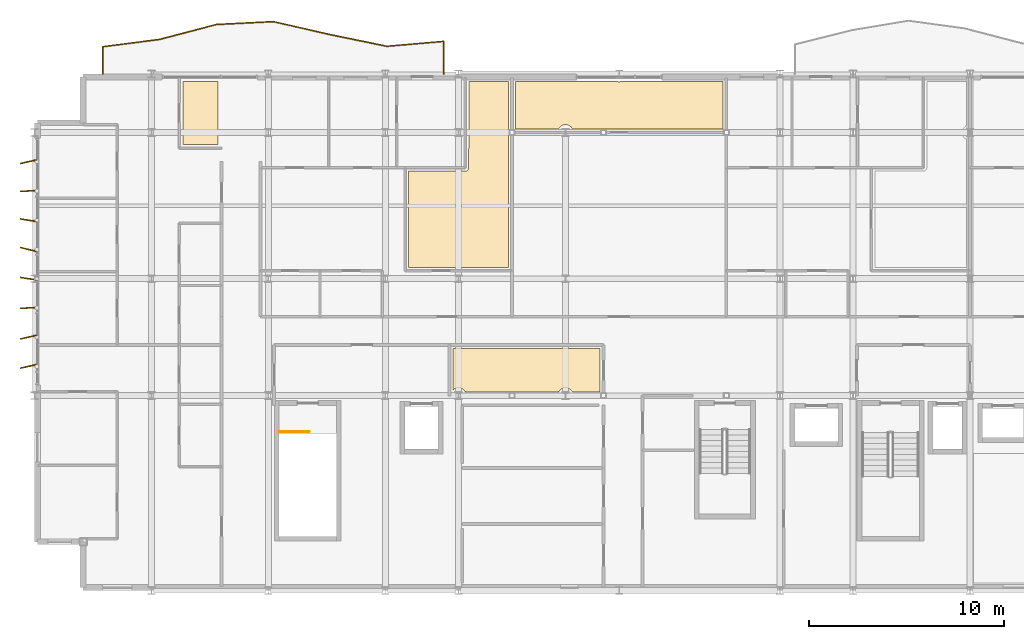
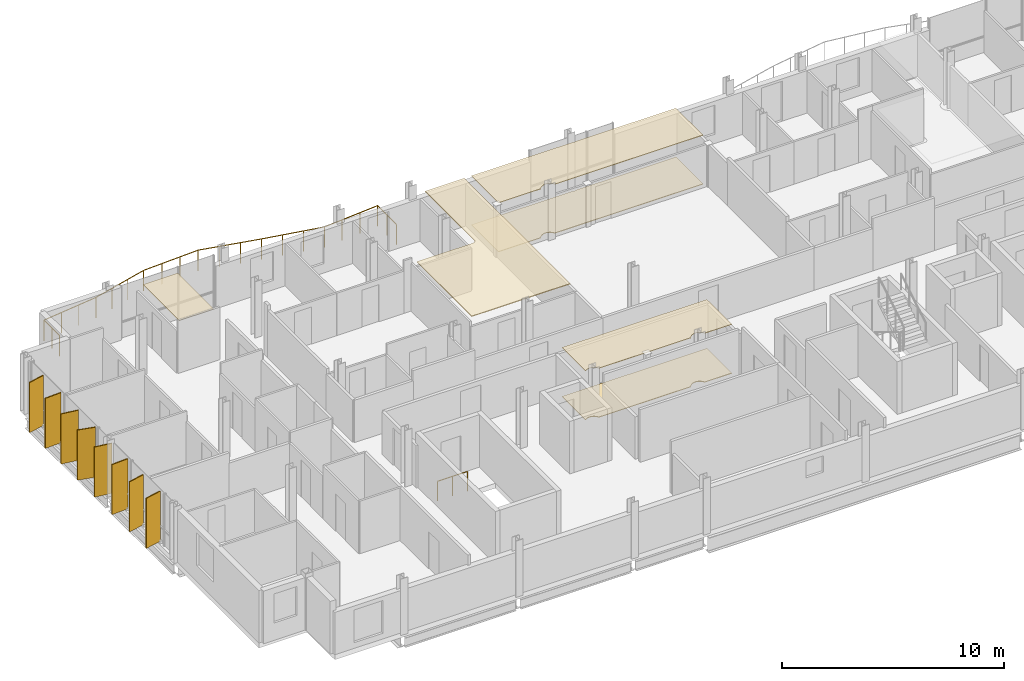
# One storey, part 33 of 35: 8 shading devices, 6 coverings, 2 railings.
"""IFC4 building model written with IfcOpenShell, lengths in metres."""

from ifc_helpers import new_model, si_unit, direction, frame, origin, origin_2d, place, context, subcontext, project, spatial, polyline, rectangle, circle, outline, extrude, material, layer, layer_set, type_object, element, save


model = new_model("IFC4")

# Units and contexts
model_context = context("Model", 3, precision=1e-05, world=origin(), true_north=direction((0.0, 1.0)))
body_context = subcontext(model_context, "Body", "Model", "MODEL_VIEW")
ifc_project = project(units=[si_unit("LENGTHUNIT", "METRE"), si_unit("AREAUNIT", "SQUARE_METRE"), si_unit("VOLUMEUNIT", "CUBIC_METRE"), si_unit("PLANEANGLEUNIT", "RADIAN"), si_unit("MASSUNIT", "GRAM", prefix="KILO")], contexts=[model_context])

# Site, building, storey
site_placement = place(None, origin())
site = spatial("IfcSite", under=ifc_project, at=site_placement, CompositionType="ELEMENT")
building_placement = place(site_placement, origin())
building = spatial("IfcBuilding", under=site, at=building_placement, Name="Brevholm Reach", CompositionType="ELEMENT")
storey_placement = place(building_placement, frame((0.0, 0.0, 218.0)))
storey = spatial("IfcBuildingStorey", under=building, at=storey_placement, Name="L66", CompositionType="ELEMENT", Elevation=218.0)

# Coverings
ifc_material_1 = material(Name="Perforated Mineral-Fibre Class-A Acoustic Suspended Ceiling", Category="gypsum")
ifc_layer_1 = layer(ifc_material_1, 0.044921875)
ifc_layer_set_1 = layer_set([ifc_layer_1], Name="Perforated Mineral-Fibre Class-A Acoustic Suspended Ceiling")
covering_type_1 = type_object("IfcCoveringType", Name="COV-CLG-AC", PredefinedType="CEILING", material=ifc_layer_set_1)
covering_1_placement = place(storey_placement, frame((0.0, 0.0, 2.675048828125)))
element("IfcCovering", 1, at=covering_1_placement, inside=storey, type_object=covering_type_1, Name="L66 Suspended Ceiling L66-44", PredefinedType="CEILING", context=body_context, shape_type="SweptSolid", body=[
    extrude(outline(polyline([(19.195068359375, 21.51611328125), (22.1025390625, 21.516845703125), (22.1201171875, 21.517822265625), (22.1376953125, 21.5205078125), (22.15478515625, 21.524658203125), (22.17138671875, 21.530517578125), (22.1875, 21.5380859375), (22.202392578125, 21.547119140625), (22.216796875, 21.557861328125), (22.229736328125, 21.569580078125), (22.24169921875, 21.582763671875), (22.252197265625, 21.596923828125), (22.26123046875, 21.612060546875), (22.268798828125, 21.6279296875), (22.274658203125, 21.64453125), (22.279052734375, 21.66162109375), (22.281494140625, 21.67919921875), (22.282470703125, 21.69677734375), (22.283935546875, 26.1201171875), (24.320068359375, 26.1201171875), (24.320068359375, 16.580078125), (19.195068359375, 16.580078125), (19.195068359375, 21.51611328125)])), origin(), (0.0, 0.0, 1.0), 0.044921875),
])
ifc_material_2 = material(Name="Moisture-Resistant Skimmed Gypsum Plasterboard Ceiling", Category="gypsum")
ifc_layer_2 = layer(ifc_material_2, 0.030029296875)
ifc_layer_set_2 = layer_set([ifc_layer_2], Name="Moisture-Resistant Skimmed Gypsum Plasterboard Ceiling")
covering_type_2 = type_object("IfcCoveringType", Name="COV-CLG-GYP", PredefinedType="CEILING", material=ifc_layer_set_2)
covering_2_placement = place(storey_placement, frame((0.0, 0.0, 2.68994140625)))
element("IfcCovering", 2, at=covering_2_placement, inside=storey, type_object=covering_type_2, Name="L66 Suspended Ceiling L66-32", PredefinedType="CEILING", context=body_context, shape_type="SweptSolid", body=[
    extrude(outline(polyline([(7.617919921875, 26.1201171875), (9.419921875, 26.1201171875), (9.419921875, 22.8798828125), (7.617919921875, 22.8798828125), (7.617919921875, 26.1201171875)])), origin(), (0.0, 0.0, 1.0), 0.030029296875),
])
covering_3_placement = place(storey_placement, frame((0.0, 0.0, 2.68994140625)))
element("IfcCovering", 3, at=covering_3_placement, inside=storey, type_object=covering_type_2, Name="L66 Suspended Ceiling L66-37", PredefinedType="CEILING", context=body_context, shape_type="SweptSolid", body=[
    extrude(outline(polyline([(27.606689453125, 10.179931640625), (27.602783203125, 10.188720703125), (27.58251953125, 10.22216796875), (27.55908203125, 10.25390625), (27.53271484375, 10.28271484375), (27.50390625, 10.30908203125), (27.47216796875, 10.33251953125), (27.438720703125, 10.352783203125), (27.403076171875, 10.36962890625), (27.3662109375, 10.3828125), (27.327880859375, 10.392333984375), (27.289306640625, 10.398193359375), (27.25, 10.39990234375), (27.210693359375, 10.398193359375), (27.172119140625, 10.392333984375), (27.1337890625, 10.3828125), (27.096923828125, 10.36962890625), (27.061279296875, 10.352783203125), (27.02783203125, 10.33251953125), (26.99609375, 10.30908203125), (26.96728515625, 10.28271484375), (26.94091796875, 10.25390625), (26.91748046875, 10.22216796875), (26.897216796875, 10.188720703125), (26.893310546875, 10.179931640625), (22.106689453125, 10.179931640625), (22.102783203125, 10.188720703125), (22.08251953125, 10.22216796875), (22.05908203125, 10.25390625), (22.03271484375, 10.28271484375), (22.00390625, 10.30908203125), (21.97216796875, 10.33251953125), (21.938720703125, 10.352783203125), (21.903076171875, 10.36962890625), (21.8662109375, 10.3828125), (21.827880859375, 10.392333984375), (21.789306640625, 10.398193359375), (21.75, 10.39990234375), (21.710693359375, 10.398193359375), (21.672119140625, 10.392333984375), (21.6337890625, 10.3828125), (21.596923828125, 10.36962890625), (21.561279296875, 10.352783203125), (21.52783203125, 10.33251953125), (21.49609375, 10.30908203125), (21.48388671875, 10.298095703125), (21.48388671875, 12.416015625), (29.01611328125, 12.416015625), (29.01611328125, 10.179931640625), (27.606689453125, 10.179931640625)])), origin(), (0.0, 0.0, 1.0), 0.030029296875),
])
covering_4_placement = place(storey_placement, frame((0.0, 0.0, 2.68994140625)))
element("IfcCovering", 4, at=covering_4_placement, inside=storey, type_object=covering_type_2, Name="L66 Suspended Ceiling L66-47", PredefinedType="CEILING", context=body_context, shape_type="SweptSolid", body=[
    extrude(outline(polyline([(29.876220703125, 26.1201171875), (29.8837890625, 26.1171875), (29.922119140625, 26.107666015625), (29.960693359375, 26.101806640625), (30.0, 26.10009765625), (30.039306640625, 26.101806640625), (30.077880859375, 26.107666015625), (30.1162109375, 26.1171875), (30.123779296875, 26.1201171875), (35.320068359375, 26.1201171875), (35.320068359375, 23.68408203125), (27.60498046875, 23.68408203125), (27.602783203125, 23.688720703125), (27.58251953125, 23.72216796875), (27.55908203125, 23.75390625), (27.53271484375, 23.78271484375), (27.50390625, 23.80908203125), (27.47216796875, 23.83251953125), (27.438720703125, 23.852783203125), (27.403076171875, 23.86962890625), (27.3662109375, 23.8828125), (27.327880859375, 23.892333984375), (27.289306640625, 23.898193359375), (27.25, 23.89990234375), (27.210693359375, 23.898193359375), (27.172119140625, 23.892333984375), (27.1337890625, 23.8828125), (27.096923828125, 23.86962890625), (27.061279296875, 23.852783203125), (27.02783203125, 23.83251953125), (26.99609375, 23.80908203125), (26.96728515625, 23.78271484375), (26.94091796875, 23.75390625), (26.91748046875, 23.72216796875), (26.897216796875, 23.688720703125), (26.89501953125, 23.68408203125), (24.68408203125, 23.68408203125), (24.68408203125, 26.1201171875), (29.876220703125, 26.1201171875)])), origin(), (0.0, 0.0, 1.0), 0.030029296875),
])
ifc_material_3 = material(Name="Honed Portland-Aggregate Resin Terrazzo Flooring", Category="concrete")
ifc_layer_3 = layer(ifc_material_3, 0.031982421875)
ifc_layer_set_3 = layer_set([ifc_layer_3], Name="Honed Portland-Aggregate Resin Terrazzo Flooring")
covering_type_3 = type_object("IfcCoveringType", Name="COV-FLR-TRZ", PredefinedType="FLOORING", material=ifc_layer_set_3)
covering_5_placement = place(storey_placement, origin())
element("IfcCovering", 5, at=covering_5_placement, inside=storey, type_object=covering_type_3, Name="L66 Floor Finish L66-37", PredefinedType="FLOORING", context=body_context, shape_type="SweptSolid", body=[
    extrude(outline(polyline([(27.606689453125, 10.179931640625), (27.602783203125, 10.188720703125), (27.58251953125, 10.22216796875), (27.55908203125, 10.25390625), (27.53271484375, 10.28271484375), (27.50390625, 10.30908203125), (27.47216796875, 10.33251953125), (27.438720703125, 10.352783203125), (27.403076171875, 10.36962890625), (27.3662109375, 10.3828125), (27.327880859375, 10.392333984375), (27.289306640625, 10.398193359375), (27.25, 10.39990234375), (27.210693359375, 10.398193359375), (27.172119140625, 10.392333984375), (27.1337890625, 10.3828125), (27.096923828125, 10.36962890625), (27.061279296875, 10.352783203125), (27.02783203125, 10.33251953125), (26.99609375, 10.30908203125), (26.96728515625, 10.28271484375), (26.94091796875, 10.25390625), (26.91748046875, 10.22216796875), (26.897216796875, 10.188720703125), (26.893310546875, 10.179931640625), (22.106689453125, 10.179931640625), (22.102783203125, 10.188720703125), (22.08251953125, 10.22216796875), (22.05908203125, 10.25390625), (22.03271484375, 10.28271484375), (22.00390625, 10.30908203125), (21.97216796875, 10.33251953125), (21.938720703125, 10.352783203125), (21.903076171875, 10.36962890625), (21.8662109375, 10.3828125), (21.827880859375, 10.392333984375), (21.789306640625, 10.398193359375), (21.75, 10.39990234375), (21.710693359375, 10.398193359375), (21.672119140625, 10.392333984375), (21.6337890625, 10.3828125), (21.596923828125, 10.36962890625), (21.561279296875, 10.352783203125), (21.52783203125, 10.33251953125), (21.49609375, 10.30908203125), (21.48388671875, 10.298095703125), (21.48388671875, 12.416015625), (29.01611328125, 12.416015625), (29.01611328125, 10.179931640625), (27.606689453125, 10.179931640625)])), origin(), (0.0, 0.0, 1.0), 0.031982421875),
])
covering_6_placement = place(storey_placement, origin())
element("IfcCovering", 6, at=covering_6_placement, inside=storey, type_object=covering_type_3, Name="L66 Floor Finish L66-47", PredefinedType="FLOORING", context=body_context, shape_type="SweptSolid", body=[
    extrude(outline(polyline([(29.876220703125, 26.1201171875), (29.8837890625, 26.1171875), (29.922119140625, 26.107666015625), (29.960693359375, 26.101806640625), (30.0, 26.10009765625), (30.039306640625, 26.101806640625), (30.077880859375, 26.107666015625), (30.1162109375, 26.1171875), (30.123779296875, 26.1201171875), (35.320068359375, 26.1201171875), (35.320068359375, 23.68408203125), (27.60498046875, 23.68408203125), (27.602783203125, 23.688720703125), (27.58251953125, 23.72216796875), (27.55908203125, 23.75390625), (27.53271484375, 23.78271484375), (27.50390625, 23.80908203125), (27.47216796875, 23.83251953125), (27.438720703125, 23.852783203125), (27.403076171875, 23.86962890625), (27.3662109375, 23.8828125), (27.327880859375, 23.892333984375), (27.289306640625, 23.898193359375), (27.25, 23.89990234375), (27.210693359375, 23.898193359375), (27.172119140625, 23.892333984375), (27.1337890625, 23.8828125), (27.096923828125, 23.86962890625), (27.061279296875, 23.852783203125), (27.02783203125, 23.83251953125), (26.99609375, 23.80908203125), (26.96728515625, 23.78271484375), (26.94091796875, 23.75390625), (26.91748046875, 23.72216796875), (26.897216796875, 23.688720703125), (26.89501953125, 23.68408203125), (24.68408203125, 23.68408203125), (24.68408203125, 26.1201171875), (29.876220703125, 26.1201171875)])), origin(), (0.0, 0.0, 1.0), 0.031982421875),
])

# Railings
ifc_material_4 = material(Name="Brushed Stainless Steel EN 1.4401 and Laminated Glass", Category="steel")
railing_type_1 = type_object("IfcRailingType", Name="RAL-BALC-1150", PredefinedType="BALUSTRADE", material=ifc_material_4)
railing_1_placement = place(storey_placement, frame((21.0, 26.5, 0.0)))
element("IfcRailing", 7, at=railing_1_placement, inside=storey, type_object=railing_type_1, Name="L66 Guard Balustrade RAL-L66-BAL-NW", PredefinedType="BALUSTRADE", context=body_context, shape_type="SweptSolid", body=[
    extrude(circle(Radius=0.02392578125, at=origin_2d()), frame((0.0, 0.0, 1.1259765625), z_axis=(0.0, 1.0, 0.0), x_axis=(-1.0, 0.0, 0.0)), (0.0, 0.0, 1.0), 1.67822265625),
    extrude(circle(Radius=0.02392578125, at=origin_2d()), frame((0.0, 1.67822265625, 1.1259765625), z_axis=(-0.996282713287, -0.086143805376, 0.0), x_axis=(0.086143805376, -0.996282713287, 0.0)), (0.0, 0.0, 1.0), 2.927734375),
    extrude(circle(Radius=0.02392578125, at=origin_2d()), frame((-2.916748046875, 1.426025390625, 1.1259765625), z_axis=(-0.979367411888, 0.202087784221, 0.0), x_axis=(-0.202087784221, -0.979367411888, 0.0)), (0.0, 0.0, 1.0), 2.97802734375),
    extrude(circle(Radius=0.02392578125, at=origin_2d()), frame((-5.833251953125, 2.02783203125, 1.1259765625), z_axis=(-0.975066268344, 0.221913884961, 0.0), x_axis=(-0.221913884961, -0.975066268344, 0.0)), (0.0, 0.0, 1.0), 2.991455078125),
    extrude(circle(Radius=0.02392578125, at=origin_2d()), frame((-8.75, 2.691650390625, 1.1259765625), z_axis=(-0.998720239463, -0.050575520622, 0.0), x_axis=(0.050575520622, -0.998720239463, 0.0)), (0.0, 0.0, 1.0), 2.92041015625),
    extrude(circle(Radius=0.02392578125, at=origin_2d()), frame((-11.666748046875, 2.5439453125, 1.1259765625), z_axis=(-0.967287116441, -0.253684123205, 0.0), x_axis=(0.253684123205, -0.967287116441, 0.0)), (0.0, 0.0, 1.0), 3.01513671875),
    extrude(circle(Radius=0.02392578125, at=origin_2d()), frame((-14.583251953125, 1.779052734375, 1.1259765625), z_axis=(-0.991825721968, -0.127599910828, 0.0), x_axis=(0.127599910828, -0.991825721968, 0.0)), (0.0, 0.0, 1.0), 2.940673828125),
    extrude(circle(Radius=0.02392578125, at=origin_2d()), frame((-17.5, 1.40380859375, 1.1259765625), z_axis=(0.0, -1.0, 0.0), x_axis=(1.0, 0.0, 0.0)), (0.0, 0.0, 1.0), 1.40380859375),
    extrude(circle(Radius=0.02099609375, at=origin_2d()), origin(), (0.0, 0.0, 1.0), 1.101806640625),
    extrude(circle(Radius=0.02099609375, at=origin_2d()), frame((0.0, 0.839111328125, 0.0)), (0.0, 0.0, 1.0), 1.101806640625),
    extrude(circle(Radius=0.02099609375, at=origin_2d()), frame((0.0, 1.67822265625, 0.0)), (0.0, 0.0, 1.0), 1.101806640625),
    extrude(circle(Radius=0.02099609375, at=origin_2d()), frame((-0.97216796875, 1.59423828125, 0.0)), (0.0, 0.0, 1.0), 1.101806640625),
    extrude(circle(Radius=0.02099609375, at=origin_2d()), frame((-1.944580078125, 1.510009765625, 0.0)), (0.0, 0.0, 1.0), 1.101806640625),
    extrude(circle(Radius=0.02099609375, at=origin_2d()), frame((-2.916748046875, 1.426025390625, 0.0)), (0.0, 0.0, 1.0), 1.101806640625),
    extrude(circle(Radius=0.02099609375, at=origin_2d()), frame((-3.888916015625, 1.626708984375, 0.0)), (0.0, 0.0, 1.0), 1.101806640625),
    extrude(circle(Radius=0.02099609375, at=origin_2d()), frame((-4.861083984375, 1.8271484375, 0.0)), (0.0, 0.0, 1.0), 1.101806640625),
    extrude(circle(Radius=0.02099609375, at=origin_2d()), frame((-5.833251953125, 2.02783203125, 0.0)), (0.0, 0.0, 1.0), 1.101806640625),
    extrude(circle(Radius=0.02099609375, at=origin_2d()), frame((-6.805419921875, 2.2490234375, 0.0)), (0.0, 0.0, 1.0), 1.101806640625),
    extrude(circle(Radius=0.02099609375, at=origin_2d()), frame((-7.77783203125, 2.470458984375, 0.0)), (0.0, 0.0, 1.0), 1.101806640625),
    extrude(circle(Radius=0.02099609375, at=origin_2d()), frame((-8.75, 2.691650390625, 0.0)), (0.0, 0.0, 1.0), 1.101806640625),
    extrude(circle(Radius=0.02099609375, at=origin_2d()), frame((-9.72216796875, 2.642333984375, 0.0)), (0.0, 0.0, 1.0), 1.101806640625),
    extrude(circle(Radius=0.02099609375, at=origin_2d()), frame((-10.694580078125, 2.59326171875, 0.0)), (0.0, 0.0, 1.0), 1.101806640625),
    extrude(circle(Radius=0.02099609375, at=origin_2d()), frame((-11.666748046875, 2.5439453125, 0.0)), (0.0, 0.0, 1.0), 1.101806640625),
    extrude(circle(Radius=0.02099609375, at=origin_2d()), frame((-12.638916015625, 2.2890625, 0.0)), (0.0, 0.0, 1.0), 1.101806640625),
    extrude(circle(Radius=0.02099609375, at=origin_2d()), frame((-13.611083984375, 2.033935546875, 0.0)), (0.0, 0.0, 1.0), 1.101806640625),
    extrude(circle(Radius=0.02099609375, at=origin_2d()), frame((-14.583251953125, 1.779052734375, 0.0)), (0.0, 0.0, 1.0), 1.101806640625),
    extrude(circle(Radius=0.02099609375, at=origin_2d()), frame((-15.555419921875, 1.654052734375, 0.0)), (0.0, 0.0, 1.0), 1.101806640625),
    extrude(circle(Radius=0.02099609375, at=origin_2d()), frame((-16.52783203125, 1.52880859375, 0.0)), (0.0, 0.0, 1.0), 1.101806640625),
    extrude(circle(Radius=0.02099609375, at=origin_2d()), frame((-17.5, 1.40380859375, 0.0)), (0.0, 0.0, 1.0), 1.101806640625),
    extrude(circle(Radius=0.02099609375, at=origin_2d()), frame((-17.5, 0.701904296875, 0.0)), (0.0, 0.0, 1.0), 1.101806640625),
    extrude(circle(Radius=0.02099609375, at=origin_2d()), frame((-17.5, 0.0, 0.0)), (0.0, 0.0, 1.0), 1.101806640625),
])
ifc_material_5 = material(Name="Painted Tubular Galvanised Steel S275JR Stair Guard", Category="steel")
railing_type_2 = type_object("IfcRailingType", Name="RAL-STG-1120", PredefinedType="BALUSTRADE", material=ifc_material_5)
railing_2_placement = place(storey_placement, frame((12.550048828125, 8.14990234375, 0.0)))
element("IfcRailing", 8, at=railing_2_placement, inside=storey, type_object=railing_type_2, Name="L66 ST-1 top well guard 1", PredefinedType="BALUSTRADE", context=body_context, shape_type="SweptSolid", body=[
    extrude(circle(Radius=0.02392578125, at=origin_2d()), frame((0.0, 0.0, 1.076171875), z_axis=(1.0, 0.0, 0.0), x_axis=(0.0, 1.0, 0.0)), (0.0, 0.0, 1.0), 1.550048828125),
    extrude(circle(Radius=0.02099609375, at=origin_2d()), origin(), (0.0, 0.0, 1.0), 1.052001953125),
    extrude(circle(Radius=0.02099609375, at=origin_2d()), frame((0.77490234375, 0.0, 0.0)), (0.0, 0.0, 1.0), 1.052001953125),
    extrude(circle(Radius=0.02099609375, at=origin_2d()), frame((1.550048828125, 0.0, 0.0)), (0.0, 0.0, 1.0), 1.052001953125),
])

# Shading devices
ifc_material_6 = material(Name="Perforated Champagne-Bronze Anodised Aluminium", Category="aluminium")
ifc_layer_4 = layer(ifc_material_6, 0.054931640625)
ifc_layer_set_4 = layer_set([ifc_layer_4], Name="Perforated Champagne-Bronze Anodised Aluminium")
shading_device_type = type_object("IfcShadingDeviceType", Name="SHD-FIN-850", PredefinedType="USERDEFINED", material=ifc_layer_set_4)
for number, where, z_axis, x_axis, name in (
    (9, (-0.31494140625, 11.5, 0.070068359375), (0.0, 0.0, 1.0), (-0.976171184926, -0.217001884141, 0.0), "L66 Perforated Solar Screen Fin 1"),
    (10, (-0.31494140625, 13.0, 0.070068359375), (0.0, 0.0, 1.0), (-0.975565230757, -0.219709991892, 0.0), "L66 Perforated Solar Screen Fin 2"),
    (11, (-0.31494140625, 14.5, 0.070068359375), (0.0, 0.0, 1.0), (-0.998347839231, -0.057459480534, 0.0), "L66 Perforated Solar Screen Fin 3"),
    (12, (-0.31494140625, 16.0, 0.070068359375), (0.0, 0.0, 1.0), (-0.988798100639, 0.149259224747, 0.0), "L66 Perforated Solar Screen Fin 4"),
    (13, (-0.31494140625, 17.5, 0.070068359375), (0.0, 0.0, 1.0), (-0.970299948462, 0.241904960708, 0.0), "L66 Perforated Solar Screen Fin 5"),
    (14, (-0.31494140625, 19.0, 0.070068359375), (0.0, 0.0, 1.0), (-0.988035353552, 0.154227559574, 0.0), "L66 Perforated Solar Screen Fin 6"),
    (15, (-0.31494140625, 20.5, 0.070068359375), (0.0, 0.0, 1.0), (-0.998687371565, -0.051220443928, 0.0), "L66 Perforated Solar Screen Fin 7"),
    (16, (-0.31494140625, 22.0, 0.070068359375), (0.0, 0.0, 1.0), (-0.976171184926, -0.217001884141, 0.0), "L66 Perforated Solar Screen Fin 8"),
):
    element("IfcShadingDevice", number, at=place(storey_placement, frame(where, z_axis=z_axis, x_axis=x_axis)), inside=storey, type_object=shading_device_type, Name=name, ObjectType="SCREEN", PredefinedType="USERDEFINED", context=body_context, shape_type="SweptSolid", body=[
        extrude(rectangle(XDim=0.85009765625, YDim=0.054931640625, at=origin_2d()), origin(), (0.0, 0.0, 1.0), 2.75),
    ])

save(model, "model.ifc")
